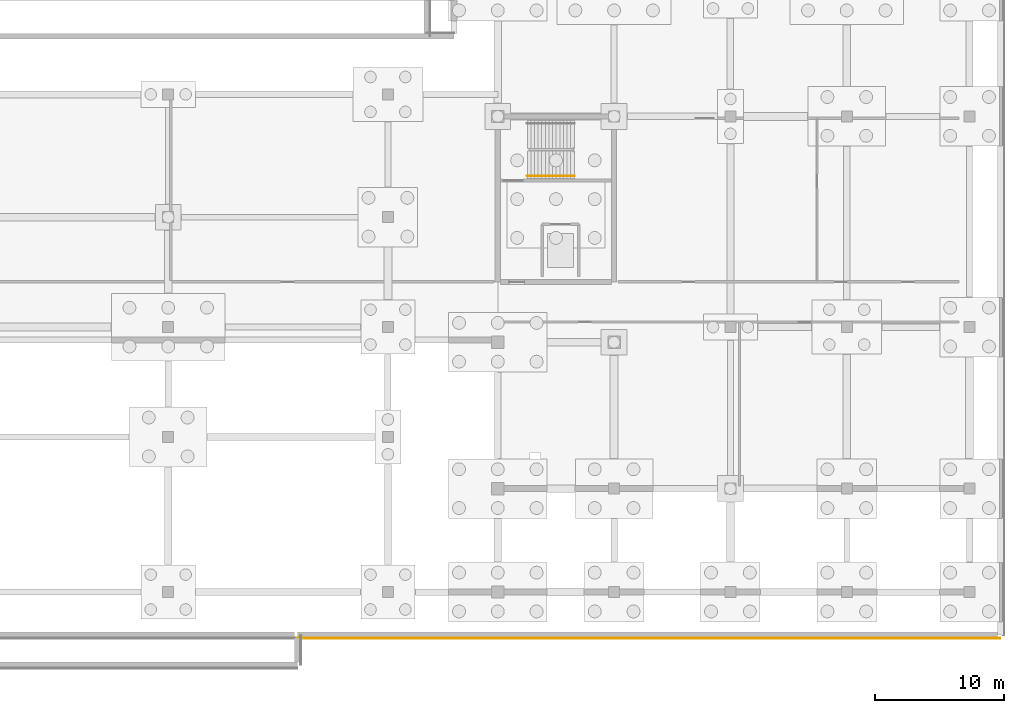
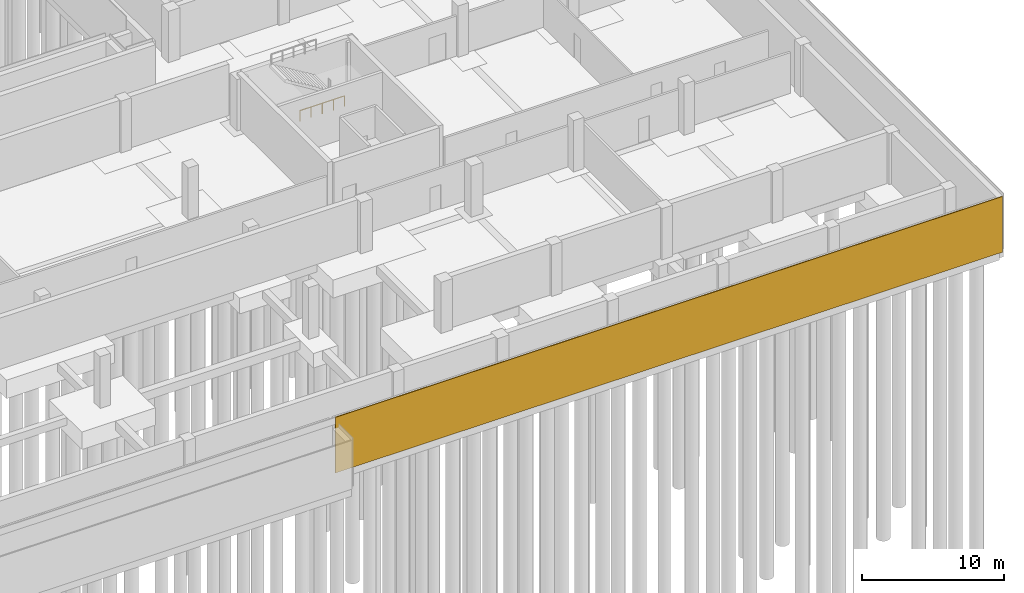
# One storey, part 22 of 25: 1 covering, 1 railing.
"""IFC4 building model written with IfcOpenShell, lengths in metres."""

from ifc_helpers import new_model, si_unit, direction, frame, origin, origin_2d, place, context, subcontext, project, spatial, rectangle, circle, extrude, material, layer, layer_set, type_object, element, save


model = new_model("IFC4")

# Units and contexts
model_context = context("Model", 3, precision=1e-05, world=origin(), true_north=direction((0.0, 1.0)))
body_context = subcontext(model_context, "Body", "Model", "MODEL_VIEW")
ifc_project = project(units=[si_unit("LENGTHUNIT", "METRE"), si_unit("AREAUNIT", "SQUARE_METRE"), si_unit("VOLUMEUNIT", "CUBIC_METRE"), si_unit("PLANEANGLEUNIT", "RADIAN"), si_unit("MASSUNIT", "GRAM", prefix="KILO")], contexts=[model_context])

# Site, building, storey
site_placement = place(None, origin())
site = spatial("IfcSite", under=ifc_project, at=site_placement, CompositionType="ELEMENT")
building_placement = place(site_placement, origin())
building = spatial("IfcBuilding", under=site, at=building_placement, Name="Solvikara Media Centre", CompositionType="ELEMENT")
storey_placement = place(building_placement, frame((0.0, 0.0, -4.800048828125)))
storey = spatial("IfcBuildingStorey", under=building, at=storey_placement, Name="B01", CompositionType="ELEMENT", Elevation=-4.800048828125)

# Covering
ifc_material_1 = material(Name="Reconstituted pale limestone flood-plinth cladding", Category="masonry")
ifc_layer = layer(ifc_material_1, 0.06005859375)
ifc_layer_set = layer_set([ifc_layer], Name="Reconstituted pale limestone flood-plinth cladding")
covering_type = type_object("IfcCoveringType", Name="CV-05", PredefinedType="CLADDING", material=ifc_layer_set)
covering_placement = place(storey_placement, frame((139.18994140625, -3.5849609375, 0.0), z_axis=(0.0, 0.0, 1.0), x_axis=(1.0, 0.0, 0.0)))
element("IfcCovering", 1, at=covering_placement, inside=storey, type_object=covering_type, Name="PLN-SE", PredefinedType="CLADDING", context=body_context, shape_type="SweptSolid", body=[
    extrude(rectangle(XDim=54.3798828125, YDim=0.06005859375, at=origin_2d()), origin(), (0.0, 0.0, 1.0), 4.800048828125),
])

# Railing
ifc_material_2 = material(Name="Steel S355JR", Category="steel")
railing_type = type_object("IfcRailingType", Name="HR-01", PredefinedType="HANDRAIL", material=ifc_material_2)
railing_placement = place(storey_placement, frame((129.780029296875, 32.199951171875, 2.400146484375)))
element("IfcRailing", 2, at=railing_placement, inside=storey, type_object=railing_type, Name="HR-C4-B01-1", PredefinedType="HANDRAIL", context=body_context, shape_type="SweptSolid", body=[
    extrude(circle(Radius=0.02392578125, at=origin_2d()), frame((0.0, 0.0, 0.89599609375), z_axis=(1.0, 0.0, 0.0), x_axis=(0.0, 1.0, 0.0)), (0.0, 0.0, 1.0), 3.639892578125),
    extrude(circle(Radius=0.02099609375, at=origin_2d()), origin(), (0.0, 0.0, 1.0), 0.871826171875),
    extrude(circle(Radius=0.02099609375, at=origin_2d()), frame((0.909912109375, 0.0, 0.0)), (0.0, 0.0, 1.0), 0.871826171875),
    extrude(circle(Radius=0.02099609375, at=origin_2d()), frame((1.81982421875, 0.0, 0.0)), (0.0, 0.0, 1.0), 0.871826171875),
    extrude(circle(Radius=0.02099609375, at=origin_2d()), frame((2.72998046875, 0.0, 0.0)), (0.0, 0.0, 1.0), 0.871826171875),
    extrude(circle(Radius=0.02099609375, at=origin_2d()), frame((3.639892578125, 0.0, 0.0)), (0.0, 0.0, 1.0), 0.871826171875),
])

save(model, "model.ifc")
